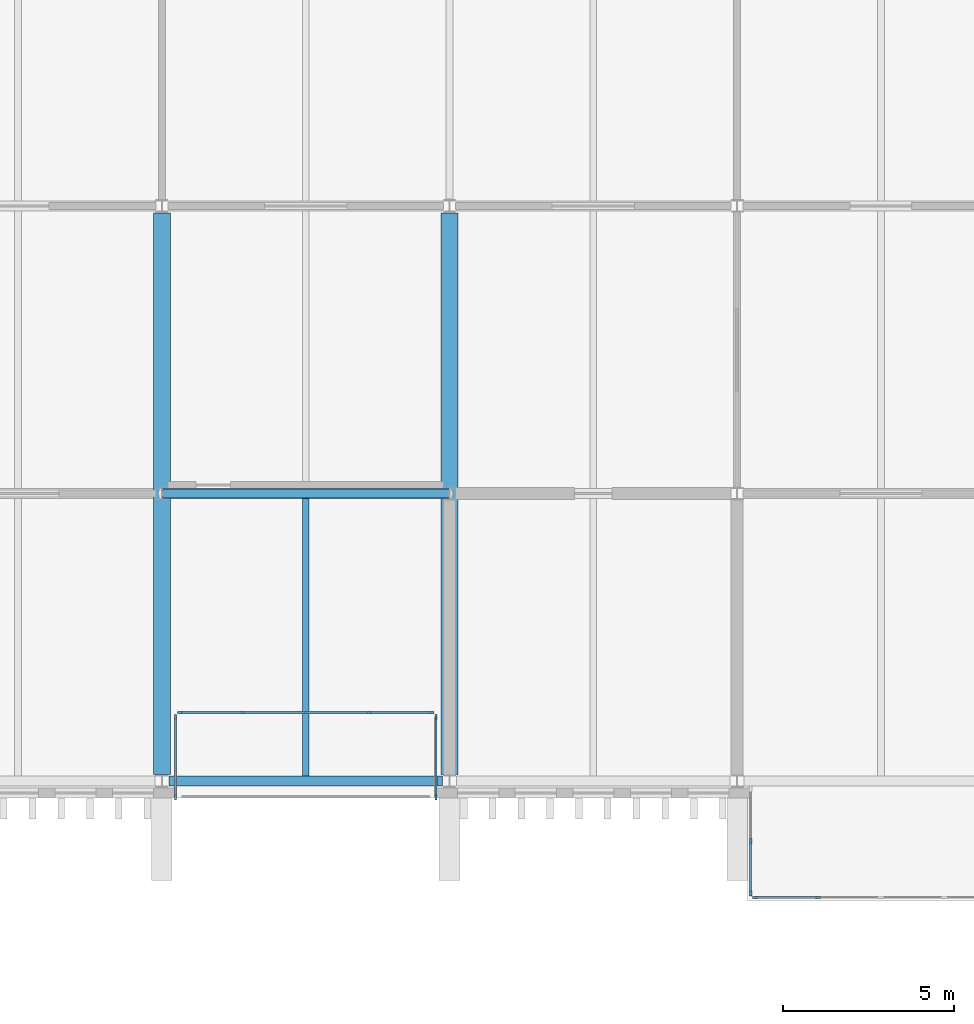
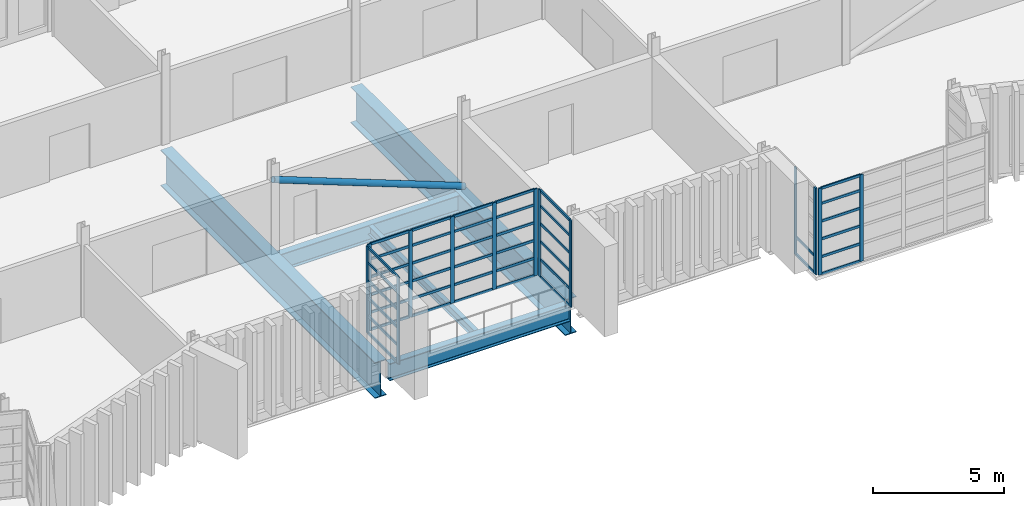
# One storey, part 24 of 96: 58 members, 5 beams, 5 elements without a shape of their own.
"""IFC4 building model written with IfcOpenShell, lengths in metres."""

from ifc_helpers import new_model, si_unit, direction, frame, origin, origin_2d, place, context, subcontext, project, spatial, rectangle, hollow_circle, i_section, extrude, material, layer, layer_set, material_profile, profile_set, type_object, element, aggregate, save


model = new_model("IFC4")

# Units and contexts
model_context = context("Model", 3, precision=1e-05, world=origin(), true_north=direction((0.0, 1.0)))
body_context = subcontext(model_context, "Body", "Model", "MODEL_VIEW")
ifc_project = project(units=[si_unit("LENGTHUNIT", "METRE"), si_unit("AREAUNIT", "SQUARE_METRE"), si_unit("VOLUMEUNIT", "CUBIC_METRE"), si_unit("PLANEANGLEUNIT", "RADIAN"), si_unit("MASSUNIT", "GRAM", prefix="KILO")], contexts=[model_context])

# Site, building, storey
site_placement = place(None, origin())
site = spatial("IfcSite", under=ifc_project, at=site_placement, CompositionType="ELEMENT")
building_placement = place(site_placement, origin())
building = spatial("IfcBuilding", under=site, at=building_placement, Name="Cresset Court Congress Hotel", CompositionType="ELEMENT")
storey_placement = place(building_placement, frame((0.0, 0.0, 6.0)))
storey = spatial("IfcBuildingStorey", under=building, at=storey_placement, Name="L01", CompositionType="ELEMENT", Elevation=6.0)

# Curtain wall, members
ifc_material_1 = material(Name="Aluminium frame with double glazing", Category="aluminium")
ifc_layer = layer(ifc_material_1, 0.199951171875)
ifc_layer_set = layer_set([ifc_layer], Name="Glazed box curtain wall 1680 module")
curtain_wall_type = type_object("IfcCurtainWallType", Name="Glazed box curtain wall 1680 module", PredefinedType="NOTDEFINED", material=ifc_layer_set)
curtain_wall_1_placement = place(storey_placement, origin())
curtain_wall_1 = element("IfcCurtainWall", 1, at=curtain_wall_1_placement, inside=storey, type_object=curtain_wall_type, Name="Glazed box S0109 front", PredefinedType="NOTDEFINED")
ifc_material_2 = material(Name="Aluminium", Category="aluminium")
ifc_material_profile_1 = material_profile(ifc_material_2, rectangle(XDim=0.06005859375, YDim=0.159912109375, at=origin_2d()), Name="Box mullion 60x160")
ifc_profile_set_1 = profile_set([ifc_material_profile_1], Name="Aluminium")
member_type_1 = type_object("IfcMemberType", Name="Box mullion 60x160", PredefinedType="MULLION", material=ifc_profile_set_1)
member_1_placement = place(storey_placement, frame((76.1298828125, 2.0, 0.0), z_axis=(0.0, 0.0, 1.0), x_axis=(0.0, 1.0, 0.0)))
member_1 = element("IfcMember", 2, at=member_1_placement, type_object=member_type_1, Name="B-X1 mullion 1", PredefinedType="MULLION", context=body_context, shape_type="SweptSolid", body=[
    extrude(rectangle(XDim=0.06005859375, YDim=0.159912109375, at=origin_2d()), origin(), (0.0, 0.0, 1.0), 4.050048828125),
])
member_2_placement = place(storey_placement, frame((77.949951171875, 2.0, 0.0), z_axis=(0.0, 0.0, 1.0), x_axis=(0.0, 1.0, 0.0)))
member_2 = element("IfcMember", 3, at=member_2_placement, type_object=member_type_1, Name="B-X1 mullion 2", PredefinedType="MULLION", context=body_context, shape_type="SweptSolid", body=[
    extrude(rectangle(XDim=0.06005859375, YDim=0.159912109375, at=origin_2d()), origin(), (0.0, 0.0, 1.0), 4.050048828125),
])
member_3_placement = place(storey_placement, frame((79.800048828125, 2.0, 0.0), z_axis=(0.0, 0.0, 1.0), x_axis=(0.0, 1.0, 0.0)))
member_3 = element("IfcMember", 4, at=member_3_placement, type_object=member_type_1, Name="B-X1 mullion 3", PredefinedType="MULLION", context=body_context, shape_type="SweptSolid", body=[
    extrude(rectangle(XDim=0.06005859375, YDim=0.159912109375, at=origin_2d()), origin(), (0.0, 0.0, 1.0), 4.050048828125),
])
member_4_placement = place(storey_placement, frame((81.64990234375, 2.0, 0.0), z_axis=(0.0, 0.0, 1.0), x_axis=(0.0, 1.0, 0.0)))
member_4 = element("IfcMember", 5, at=member_4_placement, type_object=member_type_1, Name="B-X1 mullion 4", PredefinedType="MULLION", context=body_context, shape_type="SweptSolid", body=[
    extrude(rectangle(XDim=0.06005859375, YDim=0.159912109375, at=origin_2d()), origin(), (0.0, 0.0, 1.0), 4.050048828125),
])
member_5_placement = place(storey_placement, frame((83.469970703125, 2.0, 0.0), z_axis=(0.0, 0.0, 1.0), x_axis=(0.0, 1.0, 0.0)))
member_5 = element("IfcMember", 6, at=member_5_placement, type_object=member_type_1, Name="B-X1 mullion 5", PredefinedType="MULLION", context=body_context, shape_type="SweptSolid", body=[
    extrude(rectangle(XDim=0.06005859375, YDim=0.159912109375, at=origin_2d()), origin(), (0.0, 0.0, 1.0), 4.050048828125),
])

curtain_wall_2_placement = place(storey_placement, origin())
curtain_wall_2 = element("IfcCurtainWall", 7, at=curtain_wall_2_placement, inside=storey, type_object=curtain_wall_type, Name="Glazed box S0109 side", PredefinedType="NOTDEFINED")
member_6_placement = place(storey_placement, frame((76.0, -0.469970703125, 0.0), z_axis=(0.0, 0.0, 1.0), x_axis=(-1.0, 0.0, 0.0)))
member_6 = element("IfcMember", 8, at=member_6_placement, type_object=member_type_1, Name="B-X1 mullion 1", PredefinedType="MULLION", context=body_context, shape_type="SweptSolid", body=[
    extrude(rectangle(XDim=0.06005859375, YDim=0.159912109375, at=origin_2d()), origin(), (0.0, 0.0, 1.0), 4.050048828125),
])
member_7_placement = place(storey_placement, frame((76.0, 1.8701171875, 0.0), z_axis=(0.0, 0.0, 1.0), x_axis=(-1.0, 0.0, 0.0)))
member_7 = element("IfcMember", 9, at=member_7_placement, type_object=member_type_1, Name="B-X1 mullion 2", PredefinedType="MULLION", context=body_context, shape_type="SweptSolid", body=[
    extrude(rectangle(XDim=0.06005859375, YDim=0.159912109375, at=origin_2d()), origin(), (0.0, 0.0, 1.0), 4.050048828125),
])

curtain_wall_3_placement = place(storey_placement, origin())
curtain_wall_3 = element("IfcCurtainWall", 10, at=curtain_wall_3_placement, inside=storey, type_object=curtain_wall_type, Name="Glazed box S0109 side", PredefinedType="NOTDEFINED")
member_8_placement = place(storey_placement, frame((83.60009765625, -0.469970703125, 0.0), z_axis=(0.0, 0.0, 1.0), x_axis=(-1.0, 0.0, 0.0)))
member_8 = element("IfcMember", 11, at=member_8_placement, type_object=member_type_1, Name="B-X1 mullion 1", PredefinedType="MULLION", context=body_context, shape_type="SweptSolid", body=[
    extrude(rectangle(XDim=0.06005859375, YDim=0.159912109375, at=origin_2d()), origin(), (0.0, 0.0, 1.0), 4.050048828125),
])
member_9_placement = place(storey_placement, frame((83.60009765625, 1.8701171875, 0.0), z_axis=(0.0, 0.0, 1.0), x_axis=(-1.0, 0.0, 0.0)))
member_9 = element("IfcMember", 12, at=member_9_placement, type_object=member_type_1, Name="B-X1 mullion 2", PredefinedType="MULLION", context=body_context, shape_type="SweptSolid", body=[
    extrude(rectangle(XDim=0.06005859375, YDim=0.159912109375, at=origin_2d()), origin(), (0.0, 0.0, 1.0), 4.050048828125),
])

curtain_wall_4_placement = place(storey_placement, origin())
curtain_wall_4 = element("IfcCurtainWall", 13, at=curtain_wall_4_placement, inside=storey, type_object=curtain_wall_type, Name="Glazed box S0112 front", PredefinedType="NOTDEFINED")
member_10_placement = place(storey_placement, frame((92.929931640625, -3.39990234375, 0.0), z_axis=(0.0, 0.0, 1.0), x_axis=(0.0, 1.0, 0.0)))
member_10 = element("IfcMember", 14, at=member_10_placement, type_object=member_type_1, Name="B-X1 mullion 1", PredefinedType="MULLION", context=body_context, shape_type="SweptSolid", body=[
    extrude(rectangle(XDim=0.06005859375, YDim=0.159912109375, at=origin_2d()), origin(), (0.0, 0.0, 1.0), 4.050048828125),
])
member_11_placement = place(storey_placement, frame((94.75, -3.39990234375, 0.0), z_axis=(0.0, 0.0, 1.0), x_axis=(0.0, 1.0, 0.0)))
member_11 = element("IfcMember", 15, at=member_11_placement, type_object=member_type_1, Name="B-X1 mullion 2", PredefinedType="MULLION", context=body_context, shape_type="SweptSolid", body=[
    extrude(rectangle(XDim=0.06005859375, YDim=0.159912109375, at=origin_2d()), origin(), (0.0, 0.0, 1.0), 4.050048828125),
])

curtain_wall_5_placement = place(storey_placement, origin())
curtain_wall_5 = element("IfcCurtainWall", 16, at=curtain_wall_5_placement, inside=storey, type_object=curtain_wall_type, Name="Glazed box S0112 side", PredefinedType="NOTDEFINED")
member_12_placement = place(storey_placement, frame((92.800048828125, -1.75, 0.0), z_axis=(0.0, 0.0, 1.0), x_axis=(1.0, 0.0, 0.0)))
member_12 = element("IfcMember", 17, at=member_12_placement, type_object=member_type_1, Name="B-X1 mullion 2", PredefinedType="MULLION", context=body_context, shape_type="SweptSolid", body=[
    extrude(rectangle(XDim=0.06005859375, YDim=0.159912109375, at=origin_2d()), origin(), (0.0, 0.0, 1.0), 4.050048828125),
])
member_13_placement = place(storey_placement, frame((92.800048828125, -3.27001953125, 0.0), z_axis=(0.0, 0.0, 1.0), x_axis=(1.0, 0.0, 0.0)))
member_13 = element("IfcMember", 18, at=member_13_placement, type_object=member_type_1, Name="B-X1 mullion 3", PredefinedType="MULLION", context=body_context, shape_type="SweptSolid", body=[
    extrude(rectangle(XDim=0.06005859375, YDim=0.159912109375, at=origin_2d()), origin(), (0.0, 0.0, 1.0), 4.050048828125),
])

# Member
ifc_material_3 = material(Name="Aluminium", Category="aluminium")
ifc_material_profile_2 = material_profile(ifc_material_3, rectangle(XDim=0.06005859375, YDim=0.1201171875, at=origin_2d()), Name="Box transom 60x120")
ifc_profile_set_2 = profile_set([ifc_material_profile_2], Name="Aluminium")
member_type_2 = type_object("IfcMemberType", Name="Box transom 60x120", PredefinedType="USERDEFINED", material=ifc_profile_set_2)
member_14_placement = place(storey_placement, frame((76.159912109375, 2.0, 0.030029296875), z_axis=(1.0, 0.0, 0.0), x_axis=(0.0, 1.0, 0.0)))
member_14 = element("IfcMember", 19, at=member_14_placement, type_object=member_type_2, Name="B-X1 transom 1.1", ObjectType="TRANSOM", PredefinedType="USERDEFINED", context=body_context, shape_type="SweptSolid", body=[
    extrude(rectangle(XDim=0.06005859375, YDim=0.1201171875, at=origin_2d()), origin(), (0.0, 0.0, 1.0), 1.760009765625),
])

member_15_placement = place(storey_placement, frame((76.159912109375, 2.0, 0.830078125), z_axis=(1.0, 0.0, 0.0), x_axis=(0.0, 1.0, 0.0)))
member_15 = element("IfcMember", 20, at=member_15_placement, type_object=member_type_2, Name="B-X1 transom 1.2", ObjectType="TRANSOM", PredefinedType="USERDEFINED", context=body_context, shape_type="SweptSolid", body=[
    extrude(rectangle(XDim=0.06005859375, YDim=0.1201171875, at=origin_2d()), origin(), (0.0, 0.0, 1.0), 1.760009765625),
])

member_16_placement = place(storey_placement, frame((76.159912109375, 2.0, 1.659912109375), z_axis=(1.0, 0.0, 0.0), x_axis=(0.0, 1.0, 0.0)))
member_16 = element("IfcMember", 21, at=member_16_placement, type_object=member_type_2, Name="B-X1 transom 1.3", ObjectType="TRANSOM", PredefinedType="USERDEFINED", context=body_context, shape_type="SweptSolid", body=[
    extrude(rectangle(XDim=0.06005859375, YDim=0.1201171875, at=origin_2d()), origin(), (0.0, 0.0, 1.0), 1.760009765625),
])

member_17_placement = place(storey_placement, frame((76.159912109375, 2.0, 2.489990234375), z_axis=(1.0, 0.0, 0.0), x_axis=(0.0, 1.0, 0.0)))
member_17 = element("IfcMember", 22, at=member_17_placement, type_object=member_type_2, Name="B-X1 transom 1.4", ObjectType="TRANSOM", PredefinedType="USERDEFINED", context=body_context, shape_type="SweptSolid", body=[
    extrude(rectangle(XDim=0.06005859375, YDim=0.1201171875, at=origin_2d()), origin(), (0.0, 0.0, 1.0), 1.760009765625),
])

member_18_placement = place(storey_placement, frame((76.159912109375, 2.0, 3.320068359375), z_axis=(1.0, 0.0, 0.0), x_axis=(0.0, 1.0, 0.0)))
member_18 = element("IfcMember", 23, at=member_18_placement, type_object=member_type_2, Name="B-X1 transom 1.5", ObjectType="TRANSOM", PredefinedType="USERDEFINED", context=body_context, shape_type="SweptSolid", body=[
    extrude(rectangle(XDim=0.06005859375, YDim=0.1201171875, at=origin_2d()), origin(), (0.0, 0.0, 1.0), 1.760009765625),
])

member_19_placement = place(storey_placement, frame((76.159912109375, 2.0, 4.02001953125), z_axis=(1.0, 0.0, 0.0), x_axis=(0.0, 1.0, 0.0)))
member_19 = element("IfcMember", 24, at=member_19_placement, type_object=member_type_2, Name="B-X1 transom 1.6", ObjectType="TRANSOM", PredefinedType="USERDEFINED", context=body_context, shape_type="SweptSolid", body=[
    extrude(rectangle(XDim=0.06005859375, YDim=0.1201171875, at=origin_2d()), origin(), (0.0, 0.0, 1.0), 1.760009765625),
])

member_20_placement = place(storey_placement, frame((77.97998046875, 2.0, 0.030029296875), z_axis=(1.0, 0.0, 0.0), x_axis=(0.0, 1.0, 0.0)))
member_20 = element("IfcMember", 25, at=member_20_placement, type_object=member_type_2, Name="B-X1 transom 2.1", ObjectType="TRANSOM", PredefinedType="USERDEFINED", context=body_context, shape_type="SweptSolid", body=[
    extrude(rectangle(XDim=0.06005859375, YDim=0.1201171875, at=origin_2d()), origin(), (0.0, 0.0, 1.0), 1.7900390625),
])

member_21_placement = place(storey_placement, frame((77.97998046875, 2.0, 0.830078125), z_axis=(1.0, 0.0, 0.0), x_axis=(0.0, 1.0, 0.0)))
member_21 = element("IfcMember", 26, at=member_21_placement, type_object=member_type_2, Name="B-X1 transom 2.2", ObjectType="TRANSOM", PredefinedType="USERDEFINED", context=body_context, shape_type="SweptSolid", body=[
    extrude(rectangle(XDim=0.06005859375, YDim=0.1201171875, at=origin_2d()), origin(), (0.0, 0.0, 1.0), 1.7900390625),
])

member_22_placement = place(storey_placement, frame((77.97998046875, 2.0, 1.659912109375), z_axis=(1.0, 0.0, 0.0), x_axis=(0.0, 1.0, 0.0)))
member_22 = element("IfcMember", 27, at=member_22_placement, type_object=member_type_2, Name="B-X1 transom 2.3", ObjectType="TRANSOM", PredefinedType="USERDEFINED", context=body_context, shape_type="SweptSolid", body=[
    extrude(rectangle(XDim=0.06005859375, YDim=0.1201171875, at=origin_2d()), origin(), (0.0, 0.0, 1.0), 1.7900390625),
])

member_23_placement = place(storey_placement, frame((77.97998046875, 2.0, 2.489990234375), z_axis=(1.0, 0.0, 0.0), x_axis=(0.0, 1.0, 0.0)))
member_23 = element("IfcMember", 28, at=member_23_placement, type_object=member_type_2, Name="B-X1 transom 2.4", ObjectType="TRANSOM", PredefinedType="USERDEFINED", context=body_context, shape_type="SweptSolid", body=[
    extrude(rectangle(XDim=0.06005859375, YDim=0.1201171875, at=origin_2d()), origin(), (0.0, 0.0, 1.0), 1.7900390625),
])

member_24_placement = place(storey_placement, frame((77.97998046875, 2.0, 3.320068359375), z_axis=(1.0, 0.0, 0.0), x_axis=(0.0, 1.0, 0.0)))
member_24 = element("IfcMember", 29, at=member_24_placement, type_object=member_type_2, Name="B-X1 transom 2.5", ObjectType="TRANSOM", PredefinedType="USERDEFINED", context=body_context, shape_type="SweptSolid", body=[
    extrude(rectangle(XDim=0.06005859375, YDim=0.1201171875, at=origin_2d()), origin(), (0.0, 0.0, 1.0), 1.7900390625),
])

member_25_placement = place(storey_placement, frame((77.97998046875, 2.0, 4.02001953125), z_axis=(1.0, 0.0, 0.0), x_axis=(0.0, 1.0, 0.0)))
member_25 = element("IfcMember", 30, at=member_25_placement, type_object=member_type_2, Name="B-X1 transom 2.6", ObjectType="TRANSOM", PredefinedType="USERDEFINED", context=body_context, shape_type="SweptSolid", body=[
    extrude(rectangle(XDim=0.06005859375, YDim=0.1201171875, at=origin_2d()), origin(), (0.0, 0.0, 1.0), 1.7900390625),
])

member_26_placement = place(storey_placement, frame((79.830078125, 2.0, 0.030029296875), z_axis=(1.0, 0.0, 0.0), x_axis=(0.0, 1.0, 0.0)))
member_26 = element("IfcMember", 31, at=member_26_placement, type_object=member_type_2, Name="B-X1 transom 3.1", ObjectType="TRANSOM", PredefinedType="USERDEFINED", context=body_context, shape_type="SweptSolid", body=[
    extrude(rectangle(XDim=0.06005859375, YDim=0.1201171875, at=origin_2d()), origin(), (0.0, 0.0, 1.0), 1.7900390625),
])

member_27_placement = place(storey_placement, frame((79.830078125, 2.0, 0.830078125), z_axis=(1.0, 0.0, 0.0), x_axis=(0.0, 1.0, 0.0)))
member_27 = element("IfcMember", 32, at=member_27_placement, type_object=member_type_2, Name="B-X1 transom 3.2", ObjectType="TRANSOM", PredefinedType="USERDEFINED", context=body_context, shape_type="SweptSolid", body=[
    extrude(rectangle(XDim=0.06005859375, YDim=0.1201171875, at=origin_2d()), origin(), (0.0, 0.0, 1.0), 1.7900390625),
])

member_28_placement = place(storey_placement, frame((79.830078125, 2.0, 1.659912109375), z_axis=(1.0, 0.0, 0.0), x_axis=(0.0, 1.0, 0.0)))
member_28 = element("IfcMember", 33, at=member_28_placement, type_object=member_type_2, Name="B-X1 transom 3.3", ObjectType="TRANSOM", PredefinedType="USERDEFINED", context=body_context, shape_type="SweptSolid", body=[
    extrude(rectangle(XDim=0.06005859375, YDim=0.1201171875, at=origin_2d()), origin(), (0.0, 0.0, 1.0), 1.7900390625),
])

member_29_placement = place(storey_placement, frame((79.830078125, 2.0, 2.489990234375), z_axis=(1.0, 0.0, 0.0), x_axis=(0.0, 1.0, 0.0)))
member_29 = element("IfcMember", 34, at=member_29_placement, type_object=member_type_2, Name="B-X1 transom 3.4", ObjectType="TRANSOM", PredefinedType="USERDEFINED", context=body_context, shape_type="SweptSolid", body=[
    extrude(rectangle(XDim=0.06005859375, YDim=0.1201171875, at=origin_2d()), origin(), (0.0, 0.0, 1.0), 1.7900390625),
])

member_30_placement = place(storey_placement, frame((79.830078125, 2.0, 3.320068359375), z_axis=(1.0, 0.0, 0.0), x_axis=(0.0, 1.0, 0.0)))
member_30 = element("IfcMember", 35, at=member_30_placement, type_object=member_type_2, Name="B-X1 transom 3.5", ObjectType="TRANSOM", PredefinedType="USERDEFINED", context=body_context, shape_type="SweptSolid", body=[
    extrude(rectangle(XDim=0.06005859375, YDim=0.1201171875, at=origin_2d()), origin(), (0.0, 0.0, 1.0), 1.7900390625),
])

member_31_placement = place(storey_placement, frame((79.830078125, 2.0, 4.02001953125), z_axis=(1.0, 0.0, 0.0), x_axis=(0.0, 1.0, 0.0)))
member_31 = element("IfcMember", 36, at=member_31_placement, type_object=member_type_2, Name="B-X1 transom 3.6", ObjectType="TRANSOM", PredefinedType="USERDEFINED", context=body_context, shape_type="SweptSolid", body=[
    extrude(rectangle(XDim=0.06005859375, YDim=0.1201171875, at=origin_2d()), origin(), (0.0, 0.0, 1.0), 1.7900390625),
])

member_32_placement = place(storey_placement, frame((81.679931640625, 2.0, 0.030029296875), z_axis=(1.0, 0.0, 0.0), x_axis=(0.0, 1.0, 0.0)))
member_32 = element("IfcMember", 37, at=member_32_placement, type_object=member_type_2, Name="B-X1 transom 4.1", ObjectType="TRANSOM", PredefinedType="USERDEFINED", context=body_context, shape_type="SweptSolid", body=[
    extrude(rectangle(XDim=0.06005859375, YDim=0.1201171875, at=origin_2d()), origin(), (0.0, 0.0, 1.0), 1.760009765625),
])

member_33_placement = place(storey_placement, frame((81.679931640625, 2.0, 0.830078125), z_axis=(1.0, 0.0, 0.0), x_axis=(0.0, 1.0, 0.0)))
member_33 = element("IfcMember", 38, at=member_33_placement, type_object=member_type_2, Name="B-X1 transom 4.2", ObjectType="TRANSOM", PredefinedType="USERDEFINED", context=body_context, shape_type="SweptSolid", body=[
    extrude(rectangle(XDim=0.06005859375, YDim=0.1201171875, at=origin_2d()), origin(), (0.0, 0.0, 1.0), 1.760009765625),
])

member_34_placement = place(storey_placement, frame((81.679931640625, 2.0, 1.659912109375), z_axis=(1.0, 0.0, 0.0), x_axis=(0.0, 1.0, 0.0)))
member_34 = element("IfcMember", 39, at=member_34_placement, type_object=member_type_2, Name="B-X1 transom 4.3", ObjectType="TRANSOM", PredefinedType="USERDEFINED", context=body_context, shape_type="SweptSolid", body=[
    extrude(rectangle(XDim=0.06005859375, YDim=0.1201171875, at=origin_2d()), origin(), (0.0, 0.0, 1.0), 1.760009765625),
])

member_35_placement = place(storey_placement, frame((81.679931640625, 2.0, 2.489990234375), z_axis=(1.0, 0.0, 0.0), x_axis=(0.0, 1.0, 0.0)))
member_35 = element("IfcMember", 40, at=member_35_placement, type_object=member_type_2, Name="B-X1 transom 4.4", ObjectType="TRANSOM", PredefinedType="USERDEFINED", context=body_context, shape_type="SweptSolid", body=[
    extrude(rectangle(XDim=0.06005859375, YDim=0.1201171875, at=origin_2d()), origin(), (0.0, 0.0, 1.0), 1.760009765625),
])

member_36_placement = place(storey_placement, frame((81.679931640625, 2.0, 3.320068359375), z_axis=(1.0, 0.0, 0.0), x_axis=(0.0, 1.0, 0.0)))
member_36 = element("IfcMember", 41, at=member_36_placement, type_object=member_type_2, Name="B-X1 transom 4.5", ObjectType="TRANSOM", PredefinedType="USERDEFINED", context=body_context, shape_type="SweptSolid", body=[
    extrude(rectangle(XDim=0.06005859375, YDim=0.1201171875, at=origin_2d()), origin(), (0.0, 0.0, 1.0), 1.760009765625),
])

member_37_placement = place(storey_placement, frame((81.679931640625, 2.0, 4.02001953125), z_axis=(1.0, 0.0, 0.0), x_axis=(0.0, 1.0, 0.0)))
member_37 = element("IfcMember", 42, at=member_37_placement, type_object=member_type_2, Name="B-X1 transom 4.6", ObjectType="TRANSOM", PredefinedType="USERDEFINED", context=body_context, shape_type="SweptSolid", body=[
    extrude(rectangle(XDim=0.06005859375, YDim=0.1201171875, at=origin_2d()), origin(), (0.0, 0.0, 1.0), 1.760009765625),
])

aggregate(curtain_wall_1, [member_1, member_2, member_3, member_4, member_5, member_14, member_15, member_16, member_17, member_18, member_19, member_20, member_21, member_22, member_23, member_24, member_25, member_26, member_27, member_28, member_29, member_30, member_31, member_32, member_33, member_34, member_35, member_36, member_37])

member_38_placement = place(storey_placement, frame((76.0, -0.43994140625, 0.030029296875), z_axis=(0.0, 1.0, 0.0), x_axis=(-1.0, 0.0, 0.0)))
member_38 = element("IfcMember", 43, at=member_38_placement, type_object=member_type_2, Name="B-X1 transom 1.1", ObjectType="TRANSOM", PredefinedType="USERDEFINED", context=body_context, shape_type="SweptSolid", body=[
    extrude(rectangle(XDim=0.06005859375, YDim=0.1201171875, at=origin_2d()), origin(), (0.0, 0.0, 1.0), 2.280029296875),
])

member_39_placement = place(storey_placement, frame((76.0, -0.43994140625, 0.830078125), z_axis=(0.0, 1.0, 0.0), x_axis=(-1.0, 0.0, 0.0)))
member_39 = element("IfcMember", 44, at=member_39_placement, type_object=member_type_2, Name="B-X1 transom 1.2", ObjectType="TRANSOM", PredefinedType="USERDEFINED", context=body_context, shape_type="SweptSolid", body=[
    extrude(rectangle(XDim=0.06005859375, YDim=0.1201171875, at=origin_2d()), origin(), (0.0, 0.0, 1.0), 2.280029296875),
])

member_40_placement = place(storey_placement, frame((76.0, -0.43994140625, 1.659912109375), z_axis=(0.0, 1.0, 0.0), x_axis=(-1.0, 0.0, 0.0)))
member_40 = element("IfcMember", 45, at=member_40_placement, type_object=member_type_2, Name="B-X1 transom 1.3", ObjectType="TRANSOM", PredefinedType="USERDEFINED", context=body_context, shape_type="SweptSolid", body=[
    extrude(rectangle(XDim=0.06005859375, YDim=0.1201171875, at=origin_2d()), origin(), (0.0, 0.0, 1.0), 2.280029296875),
])

member_41_placement = place(storey_placement, frame((76.0, -0.43994140625, 2.489990234375), z_axis=(0.0, 1.0, 0.0), x_axis=(-1.0, 0.0, 0.0)))
member_41 = element("IfcMember", 46, at=member_41_placement, type_object=member_type_2, Name="B-X1 transom 1.4", ObjectType="TRANSOM", PredefinedType="USERDEFINED", context=body_context, shape_type="SweptSolid", body=[
    extrude(rectangle(XDim=0.06005859375, YDim=0.1201171875, at=origin_2d()), origin(), (0.0, 0.0, 1.0), 2.280029296875),
])

member_42_placement = place(storey_placement, frame((76.0, -0.43994140625, 3.320068359375), z_axis=(0.0, 1.0, 0.0), x_axis=(-1.0, 0.0, 0.0)))
member_42 = element("IfcMember", 47, at=member_42_placement, type_object=member_type_2, Name="B-X1 transom 1.5", ObjectType="TRANSOM", PredefinedType="USERDEFINED", context=body_context, shape_type="SweptSolid", body=[
    extrude(rectangle(XDim=0.06005859375, YDim=0.1201171875, at=origin_2d()), origin(), (0.0, 0.0, 1.0), 2.280029296875),
])

member_43_placement = place(storey_placement, frame((76.0, -0.43994140625, 4.02001953125), z_axis=(0.0, 1.0, 0.0), x_axis=(-1.0, 0.0, 0.0)))
member_43 = element("IfcMember", 48, at=member_43_placement, type_object=member_type_2, Name="B-X1 transom 1.6", ObjectType="TRANSOM", PredefinedType="USERDEFINED", context=body_context, shape_type="SweptSolid", body=[
    extrude(rectangle(XDim=0.06005859375, YDim=0.1201171875, at=origin_2d()), origin(), (0.0, 0.0, 1.0), 2.280029296875),
])

aggregate(curtain_wall_2, [member_6, member_7, member_38, member_39, member_40, member_41, member_42, member_43])

member_44_placement = place(storey_placement, frame((83.60009765625, -0.43994140625, 0.030029296875), z_axis=(0.0, 1.0, 0.0), x_axis=(-1.0, 0.0, 0.0)))
member_44 = element("IfcMember", 49, at=member_44_placement, type_object=member_type_2, Name="B-X1 transom 1.1", ObjectType="TRANSOM", PredefinedType="USERDEFINED", context=body_context, shape_type="SweptSolid", body=[
    extrude(rectangle(XDim=0.06005859375, YDim=0.1201171875, at=origin_2d()), origin(), (0.0, 0.0, 1.0), 2.280029296875),
])

member_45_placement = place(storey_placement, frame((83.60009765625, -0.43994140625, 0.830078125), z_axis=(0.0, 1.0, 0.0), x_axis=(-1.0, 0.0, 0.0)))
member_45 = element("IfcMember", 50, at=member_45_placement, type_object=member_type_2, Name="B-X1 transom 1.2", ObjectType="TRANSOM", PredefinedType="USERDEFINED", context=body_context, shape_type="SweptSolid", body=[
    extrude(rectangle(XDim=0.06005859375, YDim=0.1201171875, at=origin_2d()), origin(), (0.0, 0.0, 1.0), 2.280029296875),
])

member_46_placement = place(storey_placement, frame((83.60009765625, -0.43994140625, 1.659912109375), z_axis=(0.0, 1.0, 0.0), x_axis=(-1.0, 0.0, 0.0)))
member_46 = element("IfcMember", 51, at=member_46_placement, type_object=member_type_2, Name="B-X1 transom 1.3", ObjectType="TRANSOM", PredefinedType="USERDEFINED", context=body_context, shape_type="SweptSolid", body=[
    extrude(rectangle(XDim=0.06005859375, YDim=0.1201171875, at=origin_2d()), origin(), (0.0, 0.0, 1.0), 2.280029296875),
])

member_47_placement = place(storey_placement, frame((83.60009765625, -0.43994140625, 2.489990234375), z_axis=(0.0, 1.0, 0.0), x_axis=(-1.0, 0.0, 0.0)))
member_47 = element("IfcMember", 52, at=member_47_placement, type_object=member_type_2, Name="B-X1 transom 1.4", ObjectType="TRANSOM", PredefinedType="USERDEFINED", context=body_context, shape_type="SweptSolid", body=[
    extrude(rectangle(XDim=0.06005859375, YDim=0.1201171875, at=origin_2d()), origin(), (0.0, 0.0, 1.0), 2.280029296875),
])

member_48_placement = place(storey_placement, frame((83.60009765625, -0.43994140625, 3.320068359375), z_axis=(0.0, 1.0, 0.0), x_axis=(-1.0, 0.0, 0.0)))
member_48 = element("IfcMember", 53, at=member_48_placement, type_object=member_type_2, Name="B-X1 transom 1.5", ObjectType="TRANSOM", PredefinedType="USERDEFINED", context=body_context, shape_type="SweptSolid", body=[
    extrude(rectangle(XDim=0.06005859375, YDim=0.1201171875, at=origin_2d()), origin(), (0.0, 0.0, 1.0), 2.280029296875),
])

member_49_placement = place(storey_placement, frame((83.60009765625, -0.43994140625, 4.02001953125), z_axis=(0.0, 1.0, 0.0), x_axis=(-1.0, 0.0, 0.0)))
member_49 = element("IfcMember", 54, at=member_49_placement, type_object=member_type_2, Name="B-X1 transom 1.6", ObjectType="TRANSOM", PredefinedType="USERDEFINED", context=body_context, shape_type="SweptSolid", body=[
    extrude(rectangle(XDim=0.06005859375, YDim=0.1201171875, at=origin_2d()), origin(), (0.0, 0.0, 1.0), 2.280029296875),
])

aggregate(curtain_wall_3, [member_8, member_9, member_44, member_45, member_46, member_47, member_48, member_49])

member_50_placement = place(storey_placement, frame((92.9599609375, -3.39990234375, 0.030029296875), z_axis=(1.0, 0.0, 0.0), x_axis=(0.0, 1.0, 0.0)))
member_50 = element("IfcMember", 55, at=member_50_placement, type_object=member_type_2, Name="B-X1 transom 1.1", ObjectType="TRANSOM", PredefinedType="USERDEFINED", context=body_context, shape_type="SweptSolid", body=[
    extrude(rectangle(XDim=0.06005859375, YDim=0.1201171875, at=origin_2d()), origin(), (0.0, 0.0, 1.0), 1.760009765625),
])

member_51_placement = place(storey_placement, frame((92.9599609375, -3.39990234375, 0.830078125), z_axis=(1.0, 0.0, 0.0), x_axis=(0.0, 1.0, 0.0)))
member_51 = element("IfcMember", 56, at=member_51_placement, type_object=member_type_2, Name="B-X1 transom 1.2", ObjectType="TRANSOM", PredefinedType="USERDEFINED", context=body_context, shape_type="SweptSolid", body=[
    extrude(rectangle(XDim=0.06005859375, YDim=0.1201171875, at=origin_2d()), origin(), (0.0, 0.0, 1.0), 1.760009765625),
])

member_52_placement = place(storey_placement, frame((92.9599609375, -3.39990234375, 1.659912109375), z_axis=(1.0, 0.0, 0.0), x_axis=(0.0, 1.0, 0.0)))
member_52 = element("IfcMember", 57, at=member_52_placement, type_object=member_type_2, Name="B-X1 transom 1.3", ObjectType="TRANSOM", PredefinedType="USERDEFINED", context=body_context, shape_type="SweptSolid", body=[
    extrude(rectangle(XDim=0.06005859375, YDim=0.1201171875, at=origin_2d()), origin(), (0.0, 0.0, 1.0), 1.760009765625),
])

member_53_placement = place(storey_placement, frame((92.9599609375, -3.39990234375, 2.489990234375), z_axis=(1.0, 0.0, 0.0), x_axis=(0.0, 1.0, 0.0)))
member_53 = element("IfcMember", 58, at=member_53_placement, type_object=member_type_2, Name="B-X1 transom 1.4", ObjectType="TRANSOM", PredefinedType="USERDEFINED", context=body_context, shape_type="SweptSolid", body=[
    extrude(rectangle(XDim=0.06005859375, YDim=0.1201171875, at=origin_2d()), origin(), (0.0, 0.0, 1.0), 1.760009765625),
])

member_54_placement = place(storey_placement, frame((92.9599609375, -3.39990234375, 3.320068359375), z_axis=(1.0, 0.0, 0.0), x_axis=(0.0, 1.0, 0.0)))
member_54 = element("IfcMember", 59, at=member_54_placement, type_object=member_type_2, Name="B-X1 transom 1.5", ObjectType="TRANSOM", PredefinedType="USERDEFINED", context=body_context, shape_type="SweptSolid", body=[
    extrude(rectangle(XDim=0.06005859375, YDim=0.1201171875, at=origin_2d()), origin(), (0.0, 0.0, 1.0), 1.760009765625),
])

member_55_placement = place(storey_placement, frame((92.9599609375, -3.39990234375, 4.02001953125), z_axis=(1.0, 0.0, 0.0), x_axis=(0.0, 1.0, 0.0)))
member_55 = element("IfcMember", 60, at=member_55_placement, type_object=member_type_2, Name="B-X1 transom 1.6", ObjectType="TRANSOM", PredefinedType="USERDEFINED", context=body_context, shape_type="SweptSolid", body=[
    extrude(rectangle(XDim=0.06005859375, YDim=0.1201171875, at=origin_2d()), origin(), (0.0, 0.0, 1.0), 1.760009765625),
])

aggregate(curtain_wall_4, [member_10, member_11, member_50, member_51, member_52, member_53, member_54, member_55])

member_56_placement = place(storey_placement, frame((92.800048828125, -1.780029296875, 0.030029296875), z_axis=(0.0, -1.0, 0.0), x_axis=(1.0, 0.0, 0.0)))
member_56 = element("IfcMember", 61, at=member_56_placement, type_object=member_type_2, Name="B-X1 transom 2.1", ObjectType="TRANSOM", PredefinedType="USERDEFINED", context=body_context, shape_type="SweptSolid", body=[
    extrude(rectangle(XDim=0.06005859375, YDim=0.1201171875, at=origin_2d()), origin(), (0.0, 0.0, 1.0), 1.4599609375),
])

member_57_placement = place(storey_placement, frame((92.800048828125, -1.780029296875, 0.830078125), z_axis=(0.0, -1.0, 0.0), x_axis=(1.0, 0.0, 0.0)))
member_57 = element("IfcMember", 62, at=member_57_placement, type_object=member_type_2, Name="B-X1 transom 2.2", ObjectType="TRANSOM", PredefinedType="USERDEFINED", context=body_context, shape_type="SweptSolid", body=[
    extrude(rectangle(XDim=0.06005859375, YDim=0.1201171875, at=origin_2d()), origin(), (0.0, 0.0, 1.0), 1.4599609375),
])

aggregate(curtain_wall_5, [member_12, member_13, member_56, member_57])

# Beams
ifc_material_4 = material(Name="Structural steel Q355B", Category="steel")
ifc_material_profile_3 = material_profile(ifc_material_4, i_section(OverallWidth=0.300048828125, OverallDepth=0.800048828125, WebThickness=0.013916015625, FlangeThickness=0.02587890625, FilletRadius=0.01806640625, at=origin_2d()), Name="HN800x300x14x26")
ifc_profile_set_3 = profile_set([ifc_material_profile_3], Name="Structural steel Q355B")
beam_type_1 = type_object("IfcBeamType", Name="Steel beam HN800x300x14x26", PredefinedType="BEAM", material=ifc_profile_set_3)
beam_1_placement = place(storey_placement, frame((75.800048828125, 0.0, -0.550048828125), z_axis=(1.0, 0.0, 0.0), x_axis=(0.0, 1.0, 0.0)))
element("IfcBeam", 63, at=beam_1_placement, inside=storey, type_object=beam_type_1, Name="B.bx.L01.A10", PredefinedType="BEAM", context=body_context, shape_type="SweptSolid", body=[
    extrude(i_section(OverallWidth=0.300048828125, OverallDepth=0.800048828125, WebThickness=0.013916015625, FlangeThickness=0.02587890625, FilletRadius=0.01806640625, at=origin_2d()), origin(), (0.0, 0.0, 1.0), 8.0),
])
beam_2_placement = place(storey_placement, frame((75.85009765625, 8.39990234375, -0.550048828125), z_axis=(1.0, 0.0, 0.0), x_axis=(0.0, 1.0, 0.0)))
element("IfcBeam", 64, at=beam_2_placement, inside=storey, type_object=beam_type_1, Name="B.bx.L01.B10", PredefinedType="BEAM", context=body_context, shape_type="SweptSolid", body=[
    extrude(i_section(OverallWidth=0.300048828125, OverallDepth=0.800048828125, WebThickness=0.013916015625, FlangeThickness=0.02587890625, FilletRadius=0.01806640625, at=origin_2d()), origin(), (0.0, 0.0, 1.0), 7.89990234375),
])

# Member
ifc_material_5 = material(Name="Structural steel Q355B", Category="steel")
ifc_material_profile_4 = material_profile(ifc_material_5, hollow_circle(Radius=0.136474609375, WallThickness=0.011962890625, at=origin_2d()), Name="CHS273x12")
ifc_profile_set_4 = profile_set([ifc_material_profile_4], Name="Structural steel Q355B")
member_type_3 = type_object("IfcMemberType", Name="Steel brace CHS273x12", PredefinedType="BRACE", material=ifc_profile_set_4)
member_58_placement = place(storey_placement, frame((75.574951171875, 8.39990234375, 3.360107421875), z_axis=(0.932974115402, 0.0, -0.359943467769), x_axis=(0.0, 1.0, 0.0)))
element("IfcMember", 65, at=member_58_placement, inside=storey, type_object=member_type_3, Name="Brace L01 10", PredefinedType="BRACE", context=body_context, shape_type="SweptSolid", body=[
    extrude(hollow_circle(Radius=0.136474609375, WallThickness=0.011962890625, at=origin_2d()), origin(), (0.0, 0.0, 1.0), 9.056884765625),
])

# Beams
ifc_material_6 = material(Name="Structural steel Q355B", Category="steel")
ifc_material_profile_5 = material_profile(ifc_material_6, i_section(OverallWidth=0.199951171875, OverallDepth=0.39990234375, WebThickness=0.008056640625, FlangeThickness=0.012939453125, FilletRadius=0.01611328125, at=origin_2d()), Name="HN400x200x8x13")
ifc_profile_set_5 = profile_set([ifc_material_profile_5], Name="Structural steel Q355B")
beam_type_2 = type_object("IfcBeamType", Name="Steel joist HN400x200x8x13", PredefinedType="JOIST", material=ifc_profile_set_5)
beam_3_placement = place(storey_placement, frame((79.800048828125, 0.14990234375, -0.35009765625), z_axis=(0.0, 1.0, 0.0), x_axis=(-1.0, 0.0, 0.0)))
element("IfcBeam", 66, at=beam_3_placement, inside=storey, type_object=beam_type_2, Name="B.bj.L01.10A", PredefinedType="JOIST", context=body_context, shape_type="SweptSolid", body=[
    extrude(i_section(OverallWidth=0.199951171875, OverallDepth=0.39990234375, WebThickness=0.008056640625, FlangeThickness=0.012939453125, FilletRadius=0.01611328125, at=origin_2d()), origin(), (0.0, 0.0, 1.0), 8.10009765625),
])
ifc_material_7 = material(Name="Structural steel Q355B", Category="steel")
ifc_material_profile_6 = material_profile(ifc_material_7, i_section(OverallWidth=0.5, OverallDepth=1.679931640625, WebThickness=0.02197265625, FlangeThickness=0.0400390625, at=origin_2d()), Name="WH1600x500x22x40")
ifc_profile_set_6 = profile_set([ifc_material_profile_6], Name="Structural steel Q355B")
beam_type_3 = type_object("IfcBeamType", Name="Transfer girder WH1600x500x22x40", PredefinedType="BEAM", material=ifc_profile_set_6)
for number, where, z_axis, x_axis, name in (
    (67, (75.60009765625, 0.199951171875, -0.989990234375), (0.0, 1.0, 0.0), (-1.0, 0.0, 0.0), "Transfer girder TG3-1"),
    (68, (84.0, 0.199951171875, -0.989990234375), (0.0, 1.0, 0.0), (-1.0, 0.0, 0.0), "Transfer girder TG3-2"),
):
    element("IfcBeam", number, at=place(storey_placement, frame(where, z_axis=z_axis, x_axis=x_axis)), inside=storey, type_object=beam_type_3, Name=name, PredefinedType="BEAM", context=body_context, shape_type="SweptSolid", body=[
        extrude(i_section(OverallWidth=0.5, OverallDepth=1.679931640625, WebThickness=0.02197265625, FlangeThickness=0.0400390625, at=origin_2d()), origin(), (0.0, 0.0, 1.0), 16.400146484375),
    ])

save(model, "model.ifc")
